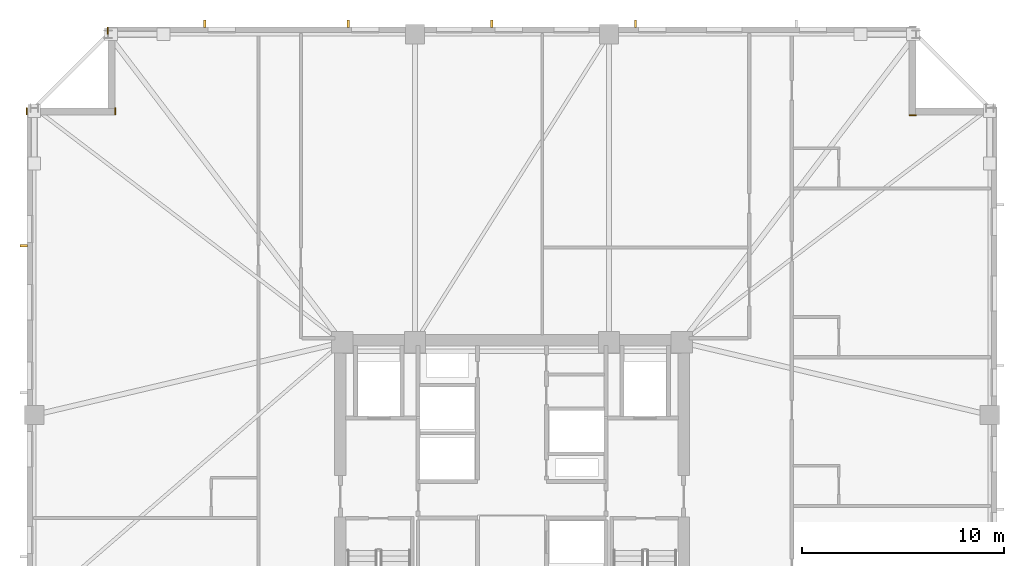
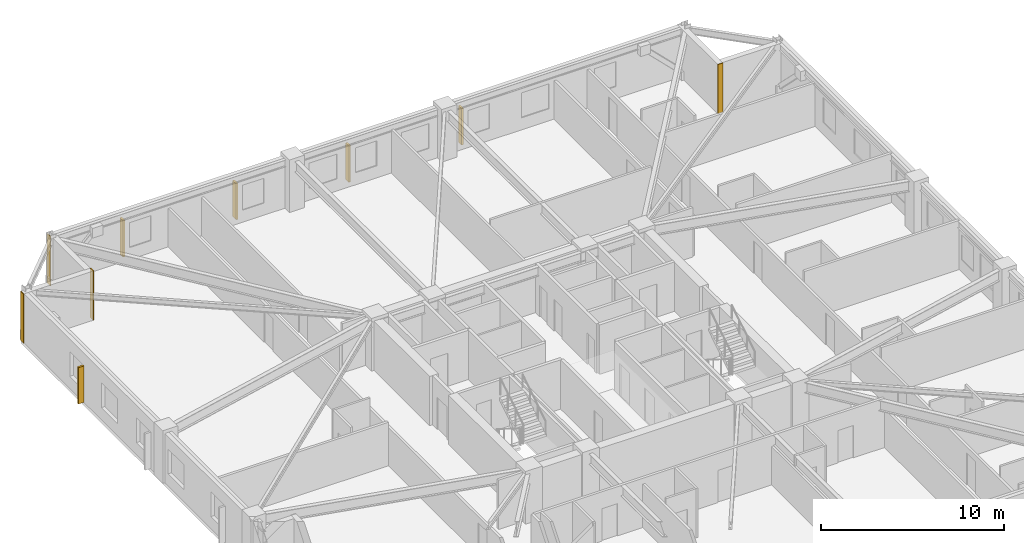
# One storey, part 10 of 11: 5 shading devices, 4 coverings.
"""IFC4 building model written with IfcOpenShell, lengths in metres."""

from ifc_helpers import new_model, si_unit, direction, frame, frame_2d, origin, origin_2d, place, context, subcontext, project, spatial, rectangle, extrude, material, layer, layer_set, type_object, element, save


model = new_model("IFC4")

# Units and contexts
model_context = context("Model", 3, precision=1e-05, world=origin(), true_north=direction((0.0, 1.0)))
body_context = subcontext(model_context, "Body", "Model", "MODEL_VIEW")
ifc_project = project(units=[si_unit("LENGTHUNIT", "METRE"), si_unit("AREAUNIT", "SQUARE_METRE"), si_unit("VOLUMEUNIT", "CUBIC_METRE"), si_unit("PLANEANGLEUNIT", "RADIAN"), si_unit("MASSUNIT", "GRAM", prefix="KILO")], contexts=[model_context])

# Site, building, storey
site_placement = place(None, origin())
site = spatial("IfcSite", under=ifc_project, at=site_placement, CompositionType="ELEMENT")
building_placement = place(site_placement, origin())
building = spatial("IfcBuilding", under=site, at=building_placement, Name="Cairnveth Concourse Tower", CompositionType="ELEMENT")
storey_placement = place(building_placement, frame((0.0, 0.0, 134.0)))
storey = spatial("IfcBuildingStorey", under=building, at=storey_placement, Name="L36", CompositionType="ELEMENT", Elevation=134.0)

# Coverings
ifc_material_1 = material(Name="Dressed Melbourne Bluestone Cladding", Category="masonry")
ifc_layer = layer(ifc_material_1, 0.050048828125)
ifc_layer_set = layer_set([ifc_layer], Name="Dressed Melbourne Bluestone Cladding")
covering_type = type_object("IfcCoveringType", Name="DRESSED BLUESTONE PLINTH CLADDING 50", PredefinedType="CLADDING", material=ifc_layer_set)
for number, where, z_axis, x_axis, name in (
    (1, (27.97998046875, 58.659912109375, 0.0), (0.0, 0.0, 1.0), (0.0, 1.0, 0.0), "Melbourne Bluestone Corner Quoin L36-516"),
    (2, (32.360107421875, 58.659912109375, 0.0), (0.0, 0.0, 1.0), (0.0, 1.0, 0.0), "Melbourne Bluestone Corner Quoin L36-517"),
    (3, (31.97998046875, 62.659912109375, 0.0), (0.0, 0.0, 1.0), (0.0, 1.0, 0.0), "Melbourne Bluestone Corner Quoin L36-518"),
    (4, (71.659912109375, 58.639892578125, 0.0), (0.0, 0.0, 1.0), (1.0, 0.0, 0.0), "Melbourne Bluestone Corner Quoin L36-520"),
):
    element("IfcCovering", number, at=place(storey_placement, frame(where, z_axis=z_axis, x_axis=x_axis)), inside=storey, type_object=covering_type, Name=name, PredefinedType="CLADDING", context=body_context, shape_type="SweptSolid", body=[
        extrude(rectangle(XDim=0.340087890625, YDim=0.050048828125, at=frame_2d((0.169921875, 0.0))), origin(), (0.0, 0.0, 1.0), 3.280029296875),
    ])

# Shading devices
ifc_material_2 = material(Name="Architectural Bronze Anodised Aluminium 6063-T6", Category="aluminium")
shading_device_type = type_object("IfcShadingDeviceType", Name="GOTHIC BRONZE VERTICAL LANCET FIN", PredefinedType="USERDEFINED", material=ifc_material_2)
for number, where, z_axis, x_axis, name in (
    (5, (27.824951171875, 52.1787109375, 0.030029296875), (0.0, 0.0, 1.0), (0.0, 1.0, 0.0), "Gothic Bronze Vertical Fin L36-0-5"),
    (6, (36.791748046875, 63.175048828125, 0.030029296875), (0.0, 0.0, 1.0), (1.0, 0.0, 0.0), "Gothic Bronze Vertical Fin L36-3-1"),
    (7, (43.89892578125, 63.175048828125, 0.030029296875), (0.0, 0.0, 1.0), (1.0, 0.0, 0.0), "Gothic Bronze Vertical Fin L36-3-3"),
    (8, (51.006103515625, 63.175048828125, 0.030029296875), (0.0, 0.0, 1.0), (1.0, 0.0, 0.0), "Gothic Bronze Vertical Fin L36-3-5"),
    (9, (58.113037109375, 63.175048828125, 0.030029296875), (0.0, 0.0, 1.0), (1.0, 0.0, 0.0), "Gothic Bronze Vertical Fin L36-3-7"),
):
    element("IfcShadingDevice", number, at=place(storey_placement, frame(where, z_axis=z_axis, x_axis=x_axis)), inside=storey, type_object=shading_device_type, Name=name, ObjectType="VERTICAL FIN", PredefinedType="USERDEFINED", context=body_context, shape_type="SweptSolid", body=[
        extrude(rectangle(XDim=0.1201171875, YDim=0.360107421875, at=origin_2d()), origin(), (0.0, 0.0, 1.0), 2.419921875),
    ])

save(model, "model.ifc")
